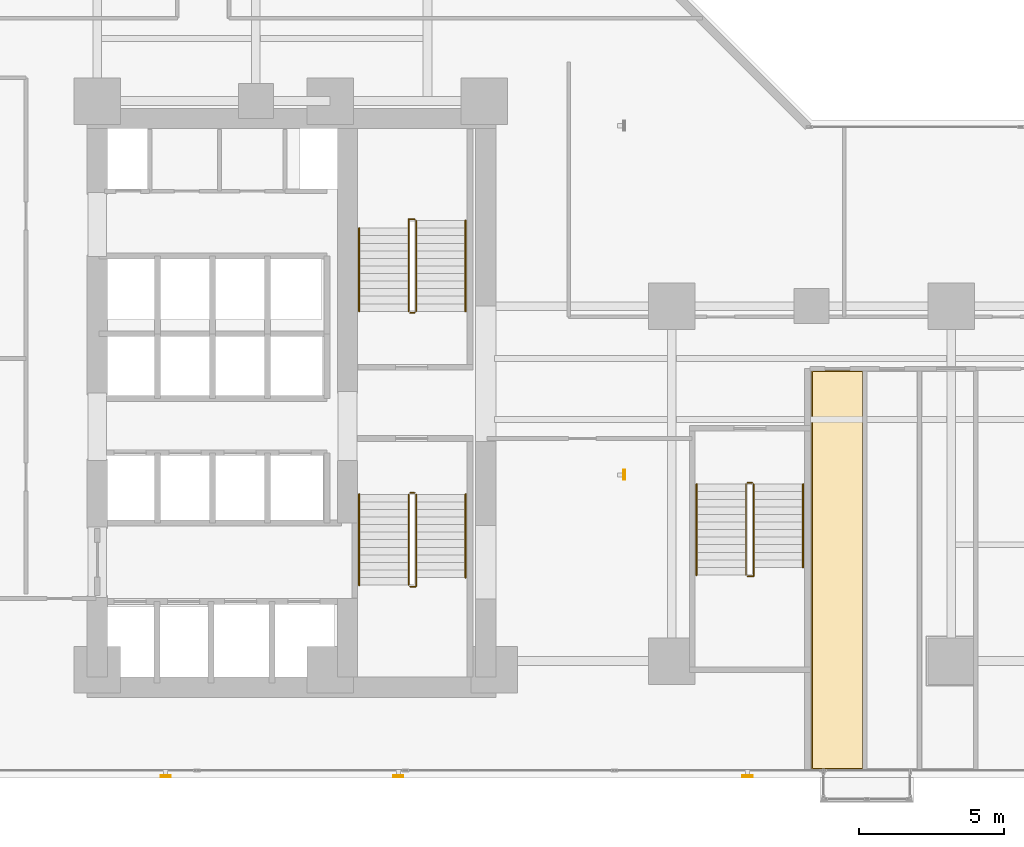
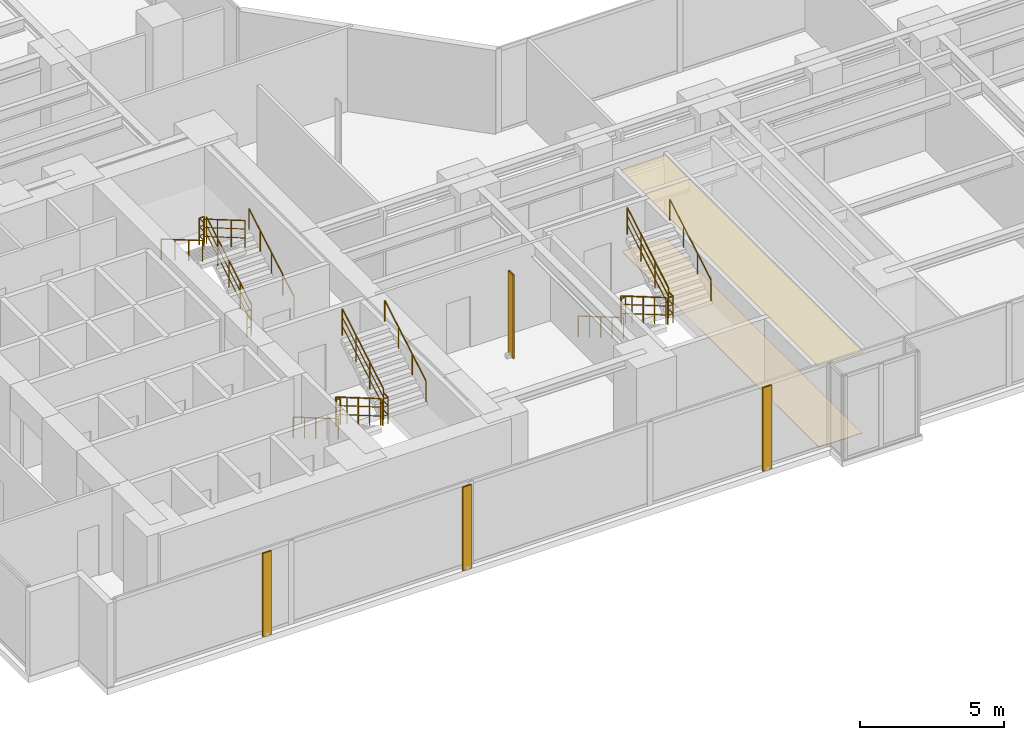
# One storey, part 27 of 29: 18 railings, 4 shading devices, 2 coverings.
"""IFC4 building model written with IfcOpenShell, lengths in metres."""

from ifc_helpers import new_model, si_unit, direction, frame, origin, origin_2d, place, context, subcontext, project, spatial, polyline, hollow_rectangle, circle, outline, extrude, material, layer, layer_set, material_profile, profile_set, type_object, element, save


model = new_model("IFC4")

# Units and contexts
model_context = context("Model", 3, precision=1e-05, world=origin(), true_north=direction((0.0, 1.0)))
body_context = subcontext(model_context, "Body", "Model", "MODEL_VIEW")
ifc_project = project(units=[si_unit("LENGTHUNIT", "METRE"), si_unit("AREAUNIT", "SQUARE_METRE"), si_unit("VOLUMEUNIT", "CUBIC_METRE"), si_unit("PLANEANGLEUNIT", "RADIAN"), si_unit("MASSUNIT", "GRAM", prefix="KILO")], contexts=[model_context])

# Site, building, storey
site_placement = place(None, origin())
site = spatial("IfcSite", under=ifc_project, at=site_placement, CompositionType="ELEMENT")
building_placement = place(site_placement, origin())
building = spatial("IfcBuilding", under=site, at=building_placement, Name="Kolvaren Waterfront Exchange", CompositionType="ELEMENT")
storey_placement = place(building_placement, frame((0.0, 0.0, 37.199951171875)))
storey = spatial("IfcBuildingStorey", under=building, at=storey_placement, Name="L09", CompositionType="ELEMENT", Elevation=37.199951171875)

# Covering
ifc_material_1 = material(Name="Mineral fibre acoustic ceiling tile")
ifc_layer_1 = layer(ifc_material_1, 0.02490234375, Name="Mineral fibre acoustic ceiling tile")
ifc_layer_set_1 = layer_set([ifc_layer_1], Name="Mineral fibre acoustic ceiling tile")
covering_type_1 = type_object("IfcCoveringType", Name="ARC-CEIL-ACOUSTIC-25", PredefinedType="CEILING", material=ifc_layer_set_1)
covering_1_placement = place(storey_placement, frame((0.0, 0.0, 3.425048828125)))
element("IfcCovering", 1, at=covering_1_placement, inside=storey, type_object=covering_type_1, Name="L09 acoustic suspended ceiling 1", PredefinedType="CEILING", context=body_context, shape_type="SweptSolid", body=[
    extrude(outline(polyline([(33.784912109375, 1.465087890625), (33.784912109375, 15.195068359375), (31.9951171875, 15.195068359375), (31.9951171875, 13.35009765625), (32.0, 13.35009765625), (32.0, 4.800048828125), (31.9951171875, 4.800048828125), (31.9951171875, 1.465087890625), (33.784912109375, 1.465087890625)])), origin(), (0.0, 0.0, 1.0), 0.02490234375),
])

# Shading devices
ifc_material_2 = material(Name="Anodised bronze aluminium 6063-T6", Category="aluminium")
ifc_material_profile = material_profile(ifc_material_2, hollow_rectangle(XDim=0.06005859375, YDim=0.35009765625, WallThickness=0.0048828125, at=origin_2d()), Name="BRZ-FIN-350x60x5")
ifc_profile_set = profile_set([ifc_material_profile], Name="Anodised bronze aluminium 6063-T6")
shading_device_type = type_object("IfcShadingDeviceType", Name="ARC-FIN-350", PredefinedType="USERDEFINED", material=ifc_profile_set)
for number, where, z_axis, x_axis, name in (
    (2, (9.800048828125, 1.239990234375, 0.0), (0.0, 0.0, 1.0), (0.0, -1.0, 0.0), "L09 anodised bronze solar shading fin FIN-L09-S1"),
    (3, (17.800048828125, 1.239990234375, 0.0), (0.0, 0.0, 1.0), (0.0, -1.0, 0.0), "L09 anodised bronze solar shading fin FIN-L09-S2"),
    (4, (29.800048828125, 1.239990234375, 0.0), (0.0, 0.0, 1.0), (0.0, -1.0, 0.0), "L09 anodised bronze solar shading fin FIN-L09-S3"),
    (5, (25.56005859375, 11.60009765625, 0.0), (0.0, 0.0, 1.0), (1.0, 0.0, 0.0), "L09 anodised bronze solar shading fin FIN-L09-E1"),
):
    element("IfcShadingDevice", number, at=place(storey_placement, frame(where, z_axis=z_axis, x_axis=x_axis)), inside=storey, type_object=shading_device_type, Name=name, ObjectType="SOLAR FIN", PredefinedType="USERDEFINED", context=body_context, shape_type="SweptSolid", body=[
        extrude(hollow_rectangle(XDim=0.06005859375, YDim=0.35009765625, WallThickness=0.0048828125, at=origin_2d()), origin(), (0.0, 0.0, 1.0), 3.5400390625),
    ])

# Covering
ifc_material_3 = material(Name="Slip-resistant porcelain tile")
ifc_layer_2 = layer(ifc_material_3, 0.014892578125, Name="Slip-resistant porcelain tile")
ifc_layer_set_2 = layer_set([ifc_layer_2], Name="Slip-resistant porcelain tile")
covering_type_2 = type_object("IfcCoveringType", Name="ARC-FLR-PORC-15", PredefinedType="FLOORING", material=ifc_layer_set_2)
covering_2_placement = place(storey_placement, origin())
element("IfcCovering", 6, at=covering_2_placement, inside=storey, type_object=covering_type_2, Name="L09 floor finish 1", PredefinedType="FLOORING", context=body_context, shape_type="SweptSolid", body=[
    extrude(outline(polyline([(32.030029296875, 15.159912109375), (32.030029296875, 1.5), (33.75, 1.5), (33.75, 15.159912109375), (32.030029296875, 15.159912109375)])), origin(), (0.0, 0.0, 1.0), 0.01513671875),
])

# Railings
ifc_material_4 = material(Name="Stainless steel 316", Category="steel")
railing_type_1 = type_object("IfcRailingType", Name="ARC-GUARD-STAIR", PredefinedType="GUARDRAIL", material=ifc_material_4)
railing_1_placement = place(storey_placement, frame((18.14990234375, 10.929931640625, 0.152099609375)))
element("IfcRailing", 7, at=railing_1_placement, inside=storey, type_object=railing_type_1, Name="L09 ST1 stair guard 1", PredefinedType="GUARDRAIL", context=body_context, shape_type="SweptSolid", body=[
    extrude(circle(Radius=0.02392578125, at=origin_2d()), frame((0.0, 0.0, 1.1259765625), z_axis=(0.0, -0.86329090724, 0.504706656858), x_axis=(1.0, 0.0, 0.0)), (0.0, 0.0, 1.0), 3.614013671875),
    extrude(circle(Radius=0.01611328125, at=origin_2d()), frame((0.0, 0.0, 0.390869140625), z_axis=(0.0, -0.86329090724, 0.504706656858), x_axis=(1.0, 0.0, 0.0)), (0.0, 0.0, 1.0), 3.614013671875),
    extrude(circle(Radius=0.01611328125, at=origin_2d()), frame((0.0, 0.0, 0.7705078125), z_axis=(0.0, -0.86329090724, 0.504706656858), x_axis=(1.0, 0.0, 0.0)), (0.0, 0.0, 1.0), 3.614013671875),
    extrude(circle(Radius=0.02099609375, at=origin_2d()), origin(), (0.0, 0.0, 1.0), 1.101806640625),
    extrude(circle(Radius=0.02099609375, at=origin_2d()), frame((0.0, -0.780029296875, 0.4560546875)), (0.0, 0.0, 1.0), 1.101806640625),
    extrude(circle(Radius=0.02099609375, at=origin_2d()), frame((0.0, -1.56005859375, 0.912109375)), (0.0, 0.0, 1.0), 1.101806640625),
    extrude(circle(Radius=0.02099609375, at=origin_2d()), frame((0.0, -2.33984375, 1.367919921875)), (0.0, 0.0, 1.0), 1.101806640625),
    extrude(circle(Radius=0.02099609375, at=origin_2d()), frame((0.0, -3.119873046875, 1.823974609375)), (0.0, 0.0, 1.0), 1.101806640625),
])
railing_2_placement = place(storey_placement, frame((18.199951171875, 7.760009765625, 1.97607421875)))
element("IfcRailing", 8, at=railing_2_placement, inside=storey, type_object=railing_type_1, Name="L09 ST1 stair guard 2", PredefinedType="GUARDRAIL", context=body_context, shape_type="SweptSolid", body=[
    extrude(circle(Radius=0.02392578125, at=origin_2d()), frame((0.0, 0.0, 1.1259765625), z_axis=(1.0, 0.0, 0.0), x_axis=(0.0, 1.0, 0.0)), (0.0, 0.0, 1.0), 0.2099609375),
    extrude(circle(Radius=0.01611328125, at=origin_2d()), frame((0.0, 0.0, 0.390869140625), z_axis=(1.0, 0.0, 0.0), x_axis=(0.0, 1.0, 0.0)), (0.0, 0.0, 1.0), 0.2099609375),
    extrude(circle(Radius=0.01611328125, at=origin_2d()), frame((0.0, 0.0, 0.7705078125), z_axis=(1.0, 0.0, 0.0), x_axis=(0.0, 1.0, 0.0)), (0.0, 0.0, 1.0), 0.2099609375),
    extrude(circle(Radius=0.02392578125, at=origin_2d()), frame((0.2099609375, 0.0, 1.1259765625), z_axis=(0.0, 1.0, 0.0), x_axis=(-1.0, 0.0, 0.0)), (0.0, 0.0, 1.0), 0.31005859375),
    extrude(circle(Radius=0.01611328125, at=origin_2d()), frame((0.2099609375, 0.0, 0.390869140625), z_axis=(0.0, 1.0, 0.0), x_axis=(-1.0, 0.0, 0.0)), (0.0, 0.0, 1.0), 0.31005859375),
    extrude(circle(Radius=0.01611328125, at=origin_2d()), frame((0.2099609375, 0.0, 0.7705078125), z_axis=(0.0, 1.0, 0.0), x_axis=(-1.0, 0.0, 0.0)), (0.0, 0.0, 1.0), 0.31005859375),
    extrude(circle(Radius=0.02099609375, at=origin_2d()), origin(), (0.0, 0.0, 1.0), 1.101806640625),
    extrude(circle(Radius=0.02099609375, at=origin_2d()), frame((0.2099609375, 0.0, 0.0)), (0.0, 0.0, 1.0), 1.101806640625),
    extrude(circle(Radius=0.02099609375, at=origin_2d()), frame((0.2099609375, 0.31005859375, 0.0)), (0.0, 0.0, 1.0), 1.101806640625),
])
railing_3_placement = place(storey_placement, frame((18.409912109375, 8.070068359375, 2.1279296875)))
element("IfcRailing", 9, at=railing_3_placement, inside=storey, type_object=railing_type_1, Name="L09 ST1 stair guard 3", PredefinedType="GUARDRAIL", context=body_context, shape_type="SweptSolid", body=[
    extrude(circle(Radius=0.02392578125, at=origin_2d()), frame((0.0, 0.0, 1.1259765625), z_axis=(0.0, 0.863270611444, 0.50474137082), x_axis=(-1.0, 0.0, 0.0)), (0.0, 0.0, 1.0), 3.312744140625),
    extrude(circle(Radius=0.01611328125, at=origin_2d()), frame((0.0, 0.0, 0.390869140625), z_axis=(0.0, 0.863270611444, 0.50474137082), x_axis=(-1.0, 0.0, 0.0)), (0.0, 0.0, 1.0), 3.312744140625),
    extrude(circle(Radius=0.01611328125, at=origin_2d()), frame((0.0, 0.0, 0.7705078125), z_axis=(0.0, 0.863270611444, 0.50474137082), x_axis=(-1.0, 0.0, 0.0)), (0.0, 0.0, 1.0), 3.312744140625),
    extrude(circle(Radius=0.02099609375, at=origin_2d()), origin(), (0.0, 0.0, 1.0), 1.101806640625),
    extrude(circle(Radius=0.02099609375, at=origin_2d()), frame((0.0, 0.953369140625, 0.557373046875)), (0.0, 0.0, 1.0), 1.101806640625),
    extrude(circle(Radius=0.02099609375, at=origin_2d()), frame((0.0, 1.906494140625, 1.11474609375)), (0.0, 0.0, 1.0), 1.101806640625),
    extrude(circle(Radius=0.02099609375, at=origin_2d()), frame((0.0, 2.85986328125, 1.672119140625)), (0.0, 0.0, 1.0), 1.101806640625),
])
railing_4_placement = place(storey_placement, frame((18.199951171875, 10.97998046875, 0.0)))
element("IfcRailing", 10, at=railing_4_placement, inside=storey, type_object=railing_type_1, Name="L09 ST1 stair guard 4", PredefinedType="GUARDRAIL", context=body_context, shape_type="SweptSolid", body=[
    extrude(circle(Radius=0.02392578125, at=origin_2d()), frame((0.0, 0.0, 1.1259765625), z_axis=(1.0, 0.0, 0.0), x_axis=(0.0, 1.0, 0.0)), (0.0, 0.0, 1.0), 0.16015625),
    extrude(circle(Radius=0.01611328125, at=origin_2d()), frame((0.0, 0.0, 0.390869140625), z_axis=(1.0, 0.0, 0.0), x_axis=(0.0, 1.0, 0.0)), (0.0, 0.0, 1.0), 0.16015625),
    extrude(circle(Radius=0.01611328125, at=origin_2d()), frame((0.0, 0.0, 0.7705078125), z_axis=(1.0, 0.0, 0.0), x_axis=(0.0, 1.0, 0.0)), (0.0, 0.0, 1.0), 0.16015625),
    extrude(circle(Radius=0.02099609375, at=origin_2d()), origin(), (0.0, 0.0, 1.0), 1.101806640625),
    extrude(circle(Radius=0.02099609375, at=origin_2d()), frame((0.16015625, 0.0, 0.0)), (0.0, 0.0, 1.0), 1.101806640625),
])
railing_5_placement = place(storey_placement, frame((18.409912109375, 17.219970703125, 0.152099609375)))
element("IfcRailing", 11, at=railing_5_placement, inside=storey, type_object=railing_type_1, Name="L09 ST2 stair guard 1", PredefinedType="GUARDRAIL", context=body_context, shape_type="SweptSolid", body=[
    extrude(circle(Radius=0.02392578125, at=origin_2d()), frame((0.0, 0.0, 1.1259765625), z_axis=(0.0, 0.86330811405, 0.504677223793), x_axis=(-1.0, 0.0, 0.0)), (0.0, 0.0, 1.0), 3.6142578125),
    extrude(circle(Radius=0.01611328125, at=origin_2d()), frame((0.0, 0.0, 0.390869140625), z_axis=(0.0, 0.86330811405, 0.504677223793), x_axis=(-1.0, 0.0, 0.0)), (0.0, 0.0, 1.0), 3.6142578125),
    extrude(circle(Radius=0.01611328125, at=origin_2d()), frame((0.0, 0.0, 0.7705078125), z_axis=(0.0, 0.86330811405, 0.504677223793), x_axis=(-1.0, 0.0, 0.0)), (0.0, 0.0, 1.0), 3.6142578125),
    extrude(circle(Radius=0.02099609375, at=origin_2d()), origin(), (0.0, 0.0, 1.0), 1.101806640625),
    extrude(circle(Radius=0.02099609375, at=origin_2d()), frame((0.0, 0.780029296875, 0.4560546875)), (0.0, 0.0, 1.0), 1.101806640625),
    extrude(circle(Radius=0.02099609375, at=origin_2d()), frame((0.0, 1.56005859375, 0.912109375)), (0.0, 0.0, 1.0), 1.101806640625),
    extrude(circle(Radius=0.02099609375, at=origin_2d()), frame((0.0, 2.340087890625, 1.367919921875)), (0.0, 0.0, 1.0), 1.101806640625),
    extrude(circle(Radius=0.02099609375, at=origin_2d()), frame((0.0, 3.1201171875, 1.823974609375)), (0.0, 0.0, 1.0), 1.101806640625),
])
railing_6_placement = place(storey_placement, frame((18.360107421875, 20.389892578125, 1.97607421875)))
element("IfcRailing", 12, at=railing_6_placement, inside=storey, type_object=railing_type_1, Name="L09 ST2 stair guard 2", PredefinedType="GUARDRAIL", context=body_context, shape_type="SweptSolid", body=[
    extrude(circle(Radius=0.02392578125, at=origin_2d()), frame((0.0, 0.0, 1.1259765625), z_axis=(-1.0, 0.0, 0.0), x_axis=(0.0, -1.0, 0.0)), (0.0, 0.0, 1.0), 0.210205078125),
    extrude(circle(Radius=0.01611328125, at=origin_2d()), frame((0.0, 0.0, 0.390869140625), z_axis=(-1.0, 0.0, 0.0), x_axis=(0.0, -1.0, 0.0)), (0.0, 0.0, 1.0), 0.210205078125),
    extrude(circle(Radius=0.01611328125, at=origin_2d()), frame((0.0, 0.0, 0.7705078125), z_axis=(-1.0, 0.0, 0.0), x_axis=(0.0, -1.0, 0.0)), (0.0, 0.0, 1.0), 0.210205078125),
    extrude(circle(Radius=0.02392578125, at=origin_2d()), frame((-0.210205078125, 0.0, 1.1259765625), z_axis=(0.0, -1.0, 0.0), x_axis=(1.0, 0.0, 0.0)), (0.0, 0.0, 1.0), 0.309814453125),
    extrude(circle(Radius=0.01611328125, at=origin_2d()), frame((-0.210205078125, 0.0, 0.390869140625), z_axis=(0.0, -1.0, 0.0), x_axis=(1.0, 0.0, 0.0)), (0.0, 0.0, 1.0), 0.309814453125),
    extrude(circle(Radius=0.01611328125, at=origin_2d()), frame((-0.210205078125, 0.0, 0.7705078125), z_axis=(0.0, -1.0, 0.0), x_axis=(1.0, 0.0, 0.0)), (0.0, 0.0, 1.0), 0.309814453125),
    extrude(circle(Radius=0.02099609375, at=origin_2d()), origin(), (0.0, 0.0, 1.0), 1.101806640625),
    extrude(circle(Radius=0.02099609375, at=origin_2d()), frame((-0.210205078125, 0.0, 0.0)), (0.0, 0.0, 1.0), 1.101806640625),
    extrude(circle(Radius=0.02099609375, at=origin_2d()), frame((-0.210205078125, -0.309814453125, 0.0)), (0.0, 0.0, 1.0), 1.101806640625),
])
railing_7_placement = place(storey_placement, frame((18.14990234375, 20.080078125, 2.1279296875)))
element("IfcRailing", 13, at=railing_7_placement, inside=storey, type_object=railing_type_1, Name="L09 ST2 stair guard 3", PredefinedType="GUARDRAIL", context=body_context, shape_type="SweptSolid", body=[
    extrude(circle(Radius=0.02392578125, at=origin_2d()), frame((0.0, 0.0, 1.1259765625), z_axis=(0.0, -0.863289384635, 0.504709261235), x_axis=(1.0, 0.0, 0.0)), (0.0, 0.0, 1.0), 3.31298828125),
    extrude(circle(Radius=0.01611328125, at=origin_2d()), frame((0.0, 0.0, 0.390869140625), z_axis=(0.0, -0.863289384635, 0.504709261235), x_axis=(1.0, 0.0, 0.0)), (0.0, 0.0, 1.0), 3.31298828125),
    extrude(circle(Radius=0.01611328125, at=origin_2d()), frame((0.0, 0.0, 0.7705078125), z_axis=(0.0, -0.863289384635, 0.504709261235), x_axis=(1.0, 0.0, 0.0)), (0.0, 0.0, 1.0), 3.31298828125),
    extrude(circle(Radius=0.02099609375, at=origin_2d()), origin(), (0.0, 0.0, 1.0), 1.101806640625),
    extrude(circle(Radius=0.02099609375, at=origin_2d()), frame((0.0, -0.953369140625, 0.557373046875)), (0.0, 0.0, 1.0), 1.101806640625),
    extrude(circle(Radius=0.02099609375, at=origin_2d()), frame((0.0, -1.90673828125, 1.11474609375)), (0.0, 0.0, 1.0), 1.101806640625),
    extrude(circle(Radius=0.02099609375, at=origin_2d()), frame((0.0, -2.860107421875, 1.672119140625)), (0.0, 0.0, 1.0), 1.101806640625),
])
railing_8_placement = place(storey_placement, frame((18.360107421875, 17.169921875, 0.0)))
element("IfcRailing", 14, at=railing_8_placement, inside=storey, type_object=railing_type_1, Name="L09 ST2 stair guard 4", PredefinedType="GUARDRAIL", context=body_context, shape_type="SweptSolid", body=[
    extrude(circle(Radius=0.02392578125, at=origin_2d()), frame((0.0, 0.0, 1.1259765625), z_axis=(-1.0, 0.0, 0.0), x_axis=(0.0, -1.0, 0.0)), (0.0, 0.0, 1.0), 0.16015625),
    extrude(circle(Radius=0.01611328125, at=origin_2d()), frame((0.0, 0.0, 0.390869140625), z_axis=(-1.0, 0.0, 0.0), x_axis=(0.0, -1.0, 0.0)), (0.0, 0.0, 1.0), 0.16015625),
    extrude(circle(Radius=0.01611328125, at=origin_2d()), frame((0.0, 0.0, 0.7705078125), z_axis=(-1.0, 0.0, 0.0), x_axis=(0.0, -1.0, 0.0)), (0.0, 0.0, 1.0), 0.16015625),
    extrude(circle(Radius=0.02099609375, at=origin_2d()), origin(), (0.0, 0.0, 1.0), 1.101806640625),
    extrude(circle(Radius=0.02099609375, at=origin_2d()), frame((-0.16015625, 0.0, 0.0)), (0.0, 0.0, 1.0), 1.101806640625),
])
railing_9_placement = place(storey_placement, frame((29.75, 11.280029296875, 0.152099609375)))
element("IfcRailing", 15, at=railing_9_placement, inside=storey, type_object=railing_type_1, Name="L09 ST3 stair guard 1", PredefinedType="GUARDRAIL", context=body_context, shape_type="SweptSolid", body=[
    extrude(circle(Radius=0.02392578125, at=origin_2d()), frame((0.0, 0.0, 1.1259765625), z_axis=(0.0, -0.86330811405, 0.504677223793), x_axis=(1.0, 0.0, 0.0)), (0.0, 0.0, 1.0), 3.6142578125),
    extrude(circle(Radius=0.01611328125, at=origin_2d()), frame((0.0, 0.0, 0.390869140625), z_axis=(0.0, -0.86330811405, 0.504677223793), x_axis=(1.0, 0.0, 0.0)), (0.0, 0.0, 1.0), 3.6142578125),
    extrude(circle(Radius=0.01611328125, at=origin_2d()), frame((0.0, 0.0, 0.7705078125), z_axis=(0.0, -0.86330811405, 0.504677223793), x_axis=(1.0, 0.0, 0.0)), (0.0, 0.0, 1.0), 3.6142578125),
    extrude(circle(Radius=0.02099609375, at=origin_2d()), origin(), (0.0, 0.0, 1.0), 1.101806640625),
    extrude(circle(Radius=0.02099609375, at=origin_2d()), frame((0.0, -0.780029296875, 0.4560546875)), (0.0, 0.0, 1.0), 1.101806640625),
    extrude(circle(Radius=0.02099609375, at=origin_2d()), frame((0.0, -1.56005859375, 0.912109375)), (0.0, 0.0, 1.0), 1.101806640625),
    extrude(circle(Radius=0.02099609375, at=origin_2d()), frame((0.0, -2.340087890625, 1.367919921875)), (0.0, 0.0, 1.0), 1.101806640625),
    extrude(circle(Radius=0.02099609375, at=origin_2d()), frame((0.0, -3.1201171875, 1.823974609375)), (0.0, 0.0, 1.0), 1.101806640625),
])
railing_10_placement = place(storey_placement, frame((29.800048828125, 8.110107421875, 1.97607421875)))
element("IfcRailing", 16, at=railing_10_placement, inside=storey, type_object=railing_type_1, Name="L09 ST3 stair guard 2", PredefinedType="GUARDRAIL", context=body_context, shape_type="SweptSolid", body=[
    extrude(circle(Radius=0.02392578125, at=origin_2d()), frame((0.0, 0.0, 1.1259765625), z_axis=(1.0, 0.0, 0.0), x_axis=(0.0, 1.0, 0.0)), (0.0, 0.0, 1.0), 0.2099609375),
    extrude(circle(Radius=0.01611328125, at=origin_2d()), frame((0.0, 0.0, 0.390869140625), z_axis=(1.0, 0.0, 0.0), x_axis=(0.0, 1.0, 0.0)), (0.0, 0.0, 1.0), 0.2099609375),
    extrude(circle(Radius=0.01611328125, at=origin_2d()), frame((0.0, 0.0, 0.7705078125), z_axis=(1.0, 0.0, 0.0), x_axis=(0.0, 1.0, 0.0)), (0.0, 0.0, 1.0), 0.2099609375),
    extrude(circle(Radius=0.02392578125, at=origin_2d()), frame((0.2099609375, 0.0, 1.1259765625), z_axis=(0.0, 1.0, 0.0), x_axis=(-1.0, 0.0, 0.0)), (0.0, 0.0, 1.0), 0.309814453125),
    extrude(circle(Radius=0.01611328125, at=origin_2d()), frame((0.2099609375, 0.0, 0.390869140625), z_axis=(0.0, 1.0, 0.0), x_axis=(-1.0, 0.0, 0.0)), (0.0, 0.0, 1.0), 0.309814453125),
    extrude(circle(Radius=0.01611328125, at=origin_2d()), frame((0.2099609375, 0.0, 0.7705078125), z_axis=(0.0, 1.0, 0.0), x_axis=(-1.0, 0.0, 0.0)), (0.0, 0.0, 1.0), 0.309814453125),
    extrude(circle(Radius=0.02099609375, at=origin_2d()), origin(), (0.0, 0.0, 1.0), 1.101806640625),
    extrude(circle(Radius=0.02099609375, at=origin_2d()), frame((0.2099609375, 0.0, 0.0)), (0.0, 0.0, 1.0), 1.101806640625),
    extrude(circle(Radius=0.02099609375, at=origin_2d()), frame((0.2099609375, 0.309814453125, 0.0)), (0.0, 0.0, 1.0), 1.101806640625),
])
railing_11_placement = place(storey_placement, frame((30.010009765625, 8.419921875, 2.1279296875)))
element("IfcRailing", 17, at=railing_11_placement, inside=storey, type_object=railing_type_1, Name="L09 ST3 stair guard 3", PredefinedType="GUARDRAIL", context=body_context, shape_type="SweptSolid", body=[
    extrude(circle(Radius=0.02392578125, at=origin_2d()), frame((0.0, 0.0, 1.1259765625), z_axis=(0.0, 0.863289384635, 0.504709261235), x_axis=(-1.0, 0.0, 0.0)), (0.0, 0.0, 1.0), 3.31298828125),
    extrude(circle(Radius=0.01611328125, at=origin_2d()), frame((0.0, 0.0, 0.390869140625), z_axis=(0.0, 0.863289384635, 0.504709261235), x_axis=(-1.0, 0.0, 0.0)), (0.0, 0.0, 1.0), 3.31298828125),
    extrude(circle(Radius=0.01611328125, at=origin_2d()), frame((0.0, 0.0, 0.7705078125), z_axis=(0.0, 0.863289384635, 0.504709261235), x_axis=(-1.0, 0.0, 0.0)), (0.0, 0.0, 1.0), 3.31298828125),
    extrude(circle(Radius=0.02099609375, at=origin_2d()), origin(), (0.0, 0.0, 1.0), 1.101806640625),
    extrude(circle(Radius=0.02099609375, at=origin_2d()), frame((0.0, 0.953369140625, 0.557373046875)), (0.0, 0.0, 1.0), 1.101806640625),
    extrude(circle(Radius=0.02099609375, at=origin_2d()), frame((0.0, 1.90673828125, 1.11474609375)), (0.0, 0.0, 1.0), 1.101806640625),
    extrude(circle(Radius=0.02099609375, at=origin_2d()), frame((0.0, 2.860107421875, 1.672119140625)), (0.0, 0.0, 1.0), 1.101806640625),
])
railing_12_placement = place(storey_placement, frame((29.800048828125, 11.330078125, 0.0)))
element("IfcRailing", 18, at=railing_12_placement, inside=storey, type_object=railing_type_1, Name="L09 ST3 stair guard 4", PredefinedType="GUARDRAIL", context=body_context, shape_type="SweptSolid", body=[
    extrude(circle(Radius=0.02392578125, at=origin_2d()), frame((0.0, 0.0, 1.1259765625), z_axis=(1.0, 0.0, 0.0), x_axis=(0.0, 1.0, 0.0)), (0.0, 0.0, 1.0), 0.159912109375),
    extrude(circle(Radius=0.01611328125, at=origin_2d()), frame((0.0, 0.0, 0.390869140625), z_axis=(1.0, 0.0, 0.0), x_axis=(0.0, 1.0, 0.0)), (0.0, 0.0, 1.0), 0.159912109375),
    extrude(circle(Radius=0.01611328125, at=origin_2d()), frame((0.0, 0.0, 0.7705078125), z_axis=(1.0, 0.0, 0.0), x_axis=(0.0, 1.0, 0.0)), (0.0, 0.0, 1.0), 0.159912109375),
    extrude(circle(Radius=0.02099609375, at=origin_2d()), origin(), (0.0, 0.0, 1.0), 1.101806640625),
    extrude(circle(Radius=0.02099609375, at=origin_2d()), frame((0.159912109375, 0.0, 0.0)), (0.0, 0.0, 1.0), 1.101806640625),
])
railing_type_2 = type_object("IfcRailingType", Name="ARC-HANDRAIL-900", PredefinedType="HANDRAIL", material=ifc_material_4)
railing_13_placement = place(storey_placement, frame((16.449951171875, 10.929931640625, 0.152099609375)))
element("IfcRailing", 19, at=railing_13_placement, inside=storey, type_object=railing_type_2, Name="L09 ST1 stair handrail 1", PredefinedType="HANDRAIL", context=body_context, shape_type="SweptSolid", body=[
    extrude(circle(Radius=0.02392578125, at=origin_2d()), frame((0.0, 0.0, 0.8759765625), z_axis=(0.0, -0.86329090724, 0.504706656858), x_axis=(1.0, 0.0, 0.0)), (0.0, 0.0, 1.0), 3.614013671875),
    extrude(circle(Radius=0.02099609375, at=origin_2d()), origin(), (0.0, 0.0, 1.0), 0.851806640625),
    extrude(circle(Radius=0.02099609375, at=origin_2d()), frame((0.0, -0.780029296875, 0.4560546875)), (0.0, 0.0, 1.0), 0.851806640625),
    extrude(circle(Radius=0.02099609375, at=origin_2d()), frame((0.0, -1.56005859375, 0.912109375)), (0.0, 0.0, 1.0), 0.851806640625),
    extrude(circle(Radius=0.02099609375, at=origin_2d()), frame((0.0, -2.33984375, 1.367919921875)), (0.0, 0.0, 1.0), 0.851806640625),
    extrude(circle(Radius=0.02099609375, at=origin_2d()), frame((0.0, -3.119873046875, 1.823974609375)), (0.0, 0.0, 1.0), 0.851806640625),
])
railing_14_placement = place(storey_placement, frame((20.110107421875, 8.070068359375, 2.1279296875)))
element("IfcRailing", 20, at=railing_14_placement, inside=storey, type_object=railing_type_2, Name="L09 ST1 stair handrail 2", PredefinedType="HANDRAIL", context=body_context, shape_type="SweptSolid", body=[
    extrude(circle(Radius=0.02392578125, at=origin_2d()), frame((0.0, 0.0, 0.8759765625), z_axis=(0.0, 0.863270611444, 0.50474137082), x_axis=(-1.0, 0.0, 0.0)), (0.0, 0.0, 1.0), 3.312744140625),
    extrude(circle(Radius=0.02099609375, at=origin_2d()), origin(), (0.0, 0.0, 1.0), 0.851806640625),
    extrude(circle(Radius=0.02099609375, at=origin_2d()), frame((0.0, 0.953369140625, 0.557373046875)), (0.0, 0.0, 1.0), 0.851806640625),
    extrude(circle(Radius=0.02099609375, at=origin_2d()), frame((0.0, 1.906494140625, 1.11474609375)), (0.0, 0.0, 1.0), 0.851806640625),
    extrude(circle(Radius=0.02099609375, at=origin_2d()), frame((0.0, 2.85986328125, 1.672119140625)), (0.0, 0.0, 1.0), 0.851806640625),
])
railing_15_placement = place(storey_placement, frame((20.110107421875, 17.219970703125, 0.152099609375)))
element("IfcRailing", 21, at=railing_15_placement, inside=storey, type_object=railing_type_2, Name="L09 ST2 stair handrail 1", PredefinedType="HANDRAIL", context=body_context, shape_type="SweptSolid", body=[
    extrude(circle(Radius=0.02392578125, at=origin_2d()), frame((0.0, 0.0, 0.8759765625), z_axis=(0.0, 0.86330811405, 0.504677223793), x_axis=(-1.0, 0.0, 0.0)), (0.0, 0.0, 1.0), 3.6142578125),
    extrude(circle(Radius=0.02099609375, at=origin_2d()), origin(), (0.0, 0.0, 1.0), 0.851806640625),
    extrude(circle(Radius=0.02099609375, at=origin_2d()), frame((0.0, 0.780029296875, 0.4560546875)), (0.0, 0.0, 1.0), 0.851806640625),
    extrude(circle(Radius=0.02099609375, at=origin_2d()), frame((0.0, 1.56005859375, 0.912109375)), (0.0, 0.0, 1.0), 0.851806640625),
    extrude(circle(Radius=0.02099609375, at=origin_2d()), frame((0.0, 2.340087890625, 1.367919921875)), (0.0, 0.0, 1.0), 0.851806640625),
    extrude(circle(Radius=0.02099609375, at=origin_2d()), frame((0.0, 3.1201171875, 1.823974609375)), (0.0, 0.0, 1.0), 0.851806640625),
])
railing_16_placement = place(storey_placement, frame((16.449951171875, 20.080078125, 2.1279296875)))
element("IfcRailing", 22, at=railing_16_placement, inside=storey, type_object=railing_type_2, Name="L09 ST2 stair handrail 2", PredefinedType="HANDRAIL", context=body_context, shape_type="SweptSolid", body=[
    extrude(circle(Radius=0.02392578125, at=origin_2d()), frame((0.0, 0.0, 0.8759765625), z_axis=(0.0, -0.863289384635, 0.504709261235), x_axis=(1.0, 0.0, 0.0)), (0.0, 0.0, 1.0), 3.31298828125),
    extrude(circle(Radius=0.02099609375, at=origin_2d()), origin(), (0.0, 0.0, 1.0), 0.851806640625),
    extrude(circle(Radius=0.02099609375, at=origin_2d()), frame((0.0, -0.953369140625, 0.557373046875)), (0.0, 0.0, 1.0), 0.851806640625),
    extrude(circle(Radius=0.02099609375, at=origin_2d()), frame((0.0, -1.90673828125, 1.11474609375)), (0.0, 0.0, 1.0), 0.851806640625),
    extrude(circle(Radius=0.02099609375, at=origin_2d()), frame((0.0, -2.860107421875, 1.672119140625)), (0.0, 0.0, 1.0), 0.851806640625),
])
railing_17_placement = place(storey_placement, frame((28.050048828125, 11.280029296875, 0.152099609375)))
element("IfcRailing", 23, at=railing_17_placement, inside=storey, type_object=railing_type_2, Name="L09 ST3 stair handrail 1", PredefinedType="HANDRAIL", context=body_context, shape_type="SweptSolid", body=[
    extrude(circle(Radius=0.02392578125, at=origin_2d()), frame((0.0, 0.0, 0.8759765625), z_axis=(0.0, -0.86330811405, 0.504677223793), x_axis=(1.0, 0.0, 0.0)), (0.0, 0.0, 1.0), 3.6142578125),
    extrude(circle(Radius=0.02099609375, at=origin_2d()), origin(), (0.0, 0.0, 1.0), 0.851806640625),
    extrude(circle(Radius=0.02099609375, at=origin_2d()), frame((0.0, -0.780029296875, 0.4560546875)), (0.0, 0.0, 1.0), 0.851806640625),
    extrude(circle(Radius=0.02099609375, at=origin_2d()), frame((0.0, -1.56005859375, 0.912109375)), (0.0, 0.0, 1.0), 0.851806640625),
    extrude(circle(Radius=0.02099609375, at=origin_2d()), frame((0.0, -2.340087890625, 1.367919921875)), (0.0, 0.0, 1.0), 0.851806640625),
    extrude(circle(Radius=0.02099609375, at=origin_2d()), frame((0.0, -3.1201171875, 1.823974609375)), (0.0, 0.0, 1.0), 0.851806640625),
])
railing_18_placement = place(storey_placement, frame((31.7099609375, 8.419921875, 2.1279296875)))
element("IfcRailing", 24, at=railing_18_placement, inside=storey, type_object=railing_type_2, Name="L09 ST3 stair handrail 2", PredefinedType="HANDRAIL", context=body_context, shape_type="SweptSolid", body=[
    extrude(circle(Radius=0.02392578125, at=origin_2d()), frame((0.0, 0.0, 0.8759765625), z_axis=(0.0, 0.863289384635, 0.504709261235), x_axis=(-1.0, 0.0, 0.0)), (0.0, 0.0, 1.0), 3.31298828125),
    extrude(circle(Radius=0.02099609375, at=origin_2d()), origin(), (0.0, 0.0, 1.0), 0.851806640625),
    extrude(circle(Radius=0.02099609375, at=origin_2d()), frame((0.0, 0.953369140625, 0.557373046875)), (0.0, 0.0, 1.0), 0.851806640625),
    extrude(circle(Radius=0.02099609375, at=origin_2d()), frame((0.0, 1.90673828125, 1.11474609375)), (0.0, 0.0, 1.0), 0.851806640625),
    extrude(circle(Radius=0.02099609375, at=origin_2d()), frame((0.0, 2.860107421875, 1.672119140625)), (0.0, 0.0, 1.0), 0.851806640625),
])

save(model, "model.ifc")
